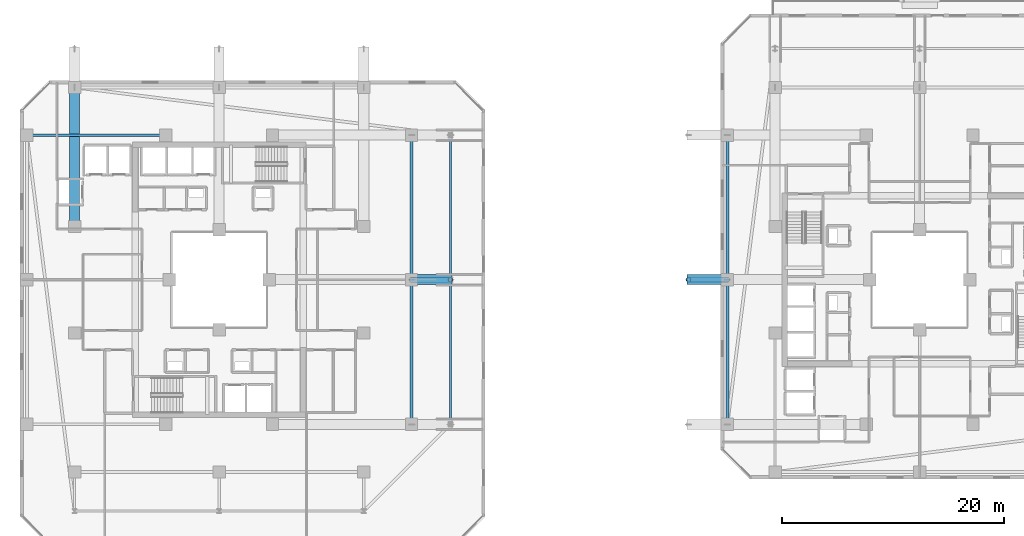
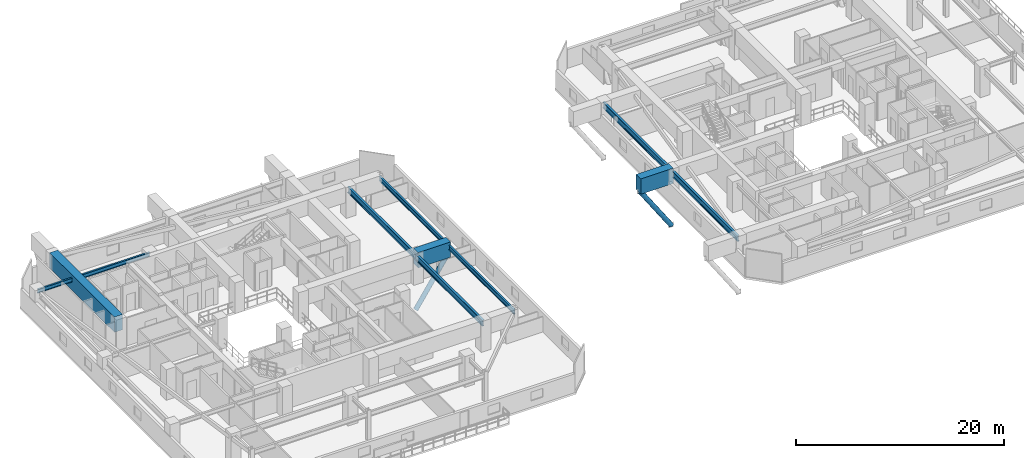
# One storey, part 7 of 36: 10 beams, 2 members.
"""IFC4 building model written with IfcOpenShell, lengths in metres."""

from ifc_helpers import new_model, si_unit, direction, frame, origin, origin_2d, place, context, subcontext, project, spatial, rectangle, hollow_circle, i_section, extrude, material, material_profile, profile_set, type_object, element, save


model = new_model("IFC4")

# Units and contexts
model_context = context("Model", 3, precision=1e-05, world=origin(), true_north=direction((0.0, 1.0)))
body_context = subcontext(model_context, "Body", "Model", "MODEL_VIEW")
ifc_project = project(units=[si_unit("LENGTHUNIT", "METRE"), si_unit("AREAUNIT", "SQUARE_METRE"), si_unit("VOLUMEUNIT", "CUBIC_METRE"), si_unit("PLANEANGLEUNIT", "RADIAN"), si_unit("MASSUNIT", "GRAM", prefix="KILO")], contexts=[model_context])

# Site, building, storey
site_placement = place(None, origin())
site = spatial("IfcSite", under=ifc_project, at=site_placement, CompositionType="ELEMENT")
building_placement = place(site_placement, origin())
building = spatial("IfcBuilding", under=site, at=building_placement, Name="Thornwick Lancets Civic Towers", CompositionType="ELEMENT")
storey_placement = place(building_placement, frame((0.0, 0.0, 170.699951171875)))
storey = spatial("IfcBuildingStorey", under=building, at=storey_placement, Name="L45", CompositionType="ELEMENT", Elevation=170.699951171875)

# Beams
ifc_material_1 = material(Name="Steel S355JR", Category="steel")
ifc_material_profile_1 = material_profile(ifc_material_1, i_section(OverallWidth=0.210693359375, OverallDepth=0.53955078125, WebThickness=0.01171875, FlangeThickness=0.018798828125, FilletRadius=0.0126953125, at=origin_2d()), Name="UKB 533x210x109")
ifc_profile_set_1 = profile_set([ifc_material_profile_1], Name="Steel S355JR")
beam_type_1 = type_object("IfcBeamType", Name="BM_EDGE_533_109", PredefinedType="SPANDREL", material=ifc_profile_set_1)
beam_1_placement = place(storey_placement, frame((46.300048828125, 14.0, 3.01025390625), z_axis=(0.0, 1.0, 0.0), x_axis=(-1.0, 0.0, 0.0)))
element("IfcBeam", 1, at=beam_1_placement, inside=storey, type_object=beam_type_1, Name="BM-EDGE-L45-A-S1-1", PredefinedType="SPANDREL", context=body_context, shape_type="SweptSolid", body=[
    extrude(i_section(OverallWidth=0.210693359375, OverallDepth=0.53955078125, WebThickness=0.01171875, FlangeThickness=0.018798828125, FilletRadius=0.0126953125, at=origin_2d()), origin(), (0.0, 0.0, 1.0), 13.0),
])
beam_2_placement = place(storey_placement, frame((46.300048828125, 27.080078125, 3.01025390625), z_axis=(0.0, 1.0, 0.0), x_axis=(-1.0, 0.0, 0.0)))
element("IfcBeam", 2, at=beam_2_placement, inside=storey, type_object=beam_type_1, Name="BM-EDGE-L45-A-S1-2", PredefinedType="SPANDREL", context=body_context, shape_type="SweptSolid", body=[
    extrude(i_section(OverallWidth=0.210693359375, OverallDepth=0.53955078125, WebThickness=0.01171875, FlangeThickness=0.018798828125, FilletRadius=0.0126953125, at=origin_2d()), origin(), (0.0, 0.0, 1.0), 12.919921875),
])
ifc_material_profile_2 = material_profile(ifc_material_1, i_section(OverallWidth=0.255859375, OverallDepth=0.69287109375, WebThickness=0.014404296875, FlangeThickness=0.023681640625, FilletRadius=0.01513671875, at=origin_2d()), Name="UKB 686x254x170")
ifc_profile_set_2 = profile_set([ifc_material_profile_2], Name="Steel S355JR")
beam_type_2 = type_object("IfcBeamType", Name="BM_GIRD_686_170", PredefinedType="BEAM", material=ifc_profile_set_2)
beam_3_placement = place(storey_placement, frame((42.800048828125, 14.0, 2.93359375), z_axis=(0.0, 1.0, 0.0), x_axis=(-1.0, 0.0, 0.0)))
element("IfcBeam", 3, at=beam_3_placement, inside=storey, type_object=beam_type_2, Name="BM-SPINE-L45-A-3-4", PredefinedType="BEAM", context=body_context, shape_type="SweptSolid", body=[
    extrude(i_section(OverallWidth=0.255859375, OverallDepth=0.69287109375, WebThickness=0.014404296875, FlangeThickness=0.023681640625, FilletRadius=0.01513671875, at=origin_2d()), origin(), (0.0, 0.0, 1.0), 13.0),
])
beam_4_placement = place(storey_placement, frame((42.800048828125, 27.080078125, 2.93359375), z_axis=(0.0, 1.0, 0.0), x_axis=(-1.0, 0.0, 0.0)))
element("IfcBeam", 4, at=beam_4_placement, inside=storey, type_object=beam_type_2, Name="BM-SPINE-L45-A-4-5", PredefinedType="BEAM", context=body_context, shape_type="SweptSolid", body=[
    extrude(i_section(OverallWidth=0.255859375, OverallDepth=0.69287109375, WebThickness=0.014404296875, FlangeThickness=0.023681640625, FilletRadius=0.01513671875, at=origin_2d()), origin(), (0.0, 0.0, 1.0), 12.919921875),
])
beam_5_placement = place(storey_placement, frame((71.199951171875, 14.0, 2.93359375), z_axis=(0.0, 1.0, 0.0), x_axis=(-1.0, 0.0, 0.0)))
element("IfcBeam", 5, at=beam_5_placement, inside=storey, type_object=beam_type_2, Name="BM-SPINE-L45-B-6-7", PredefinedType="BEAM", context=body_context, shape_type="SweptSolid", body=[
    extrude(i_section(OverallWidth=0.255859375, OverallDepth=0.69287109375, WebThickness=0.014404296875, FlangeThickness=0.023681640625, FilletRadius=0.01513671875, at=origin_2d()), origin(), (0.0, 0.0, 1.0), 13.0),
])
beam_6_placement = place(storey_placement, frame((71.199951171875, 27.080078125, 2.93359375), z_axis=(0.0, 1.0, 0.0), x_axis=(-1.0, 0.0, 0.0)))
element("IfcBeam", 6, at=beam_6_placement, inside=storey, type_object=beam_type_2, Name="BM-SPINE-L45-B-7-8", PredefinedType="BEAM", context=body_context, shape_type="SweptSolid", body=[
    extrude(i_section(OverallWidth=0.255859375, OverallDepth=0.69287109375, WebThickness=0.014404296875, FlangeThickness=0.023681640625, FilletRadius=0.01513671875, at=origin_2d()), origin(), (0.0, 0.0, 1.0), 12.919921875),
])
ifc_material_profile_3 = material_profile(ifc_material_1, i_section(OverallWidth=0.19189453125, OverallDepth=0.46337890625, WebThickness=0.010498046875, FlangeThickness=0.017578125, FilletRadius=0.01025390625, at=origin_2d()), Name="UKB 457x191x89")
ifc_profile_set_3 = profile_set([ifc_material_profile_3], Name="Steel S355JR")
beam_type_3 = type_object("IfcBeamType", Name="BM_JOIST_457_89", PredefinedType="JOIST", material=ifc_profile_set_3)
beam_7_placement = place(storey_placement, frame((20.699951171875, 40.0, 3.04833984375), z_axis=(-1.0, 0.0, 0.0), x_axis=(0.0, -1.0, 0.0)))
element("IfcBeam", 7, at=beam_7_placement, inside=storey, type_object=beam_type_3, Name="BM-RADIN-L45-A12", PredefinedType="JOIST", context=body_context, shape_type="SweptSolid", body=[
    extrude(i_section(OverallWidth=0.19189453125, OverallDepth=0.46337890625, WebThickness=0.010498046875, FlangeThickness=0.017578125, FilletRadius=0.01025390625, at=origin_2d()), origin(), (0.0, 0.0, 1.0), 12.5),
])
ifc_material_2 = material(Name="Concrete C60/75", Category="concrete")
ifc_material_profile_4 = material_profile(ifc_material_2, rectangle(XDim=0.89990234375, YDim=1.800048828125, at=origin_2d()), Name="RC 900x1800")
ifc_profile_set_4 = profile_set([ifc_material_profile_4], Name="Concrete C60/75")
beam_type_4 = type_object("IfcBeamType", Name="BM_TR_RC1800", PredefinedType="BEAM", material=ifc_profile_set_4)
beam_8_placement = place(storey_placement, frame((42.800048828125, 27.0, 2.699951171875), z_axis=(1.0, 0.0, 0.0), x_axis=(0.0, 1.0, 0.0)))
element("IfcBeam", 8, at=beam_8_placement, inside=storey, type_object=beam_type_4, Name="TG-CANT-L46-A05", PredefinedType="BEAM", context=body_context, shape_type="SweptSolid", body=[
    extrude(rectangle(XDim=0.89990234375, YDim=1.800048828125, at=origin_2d()), origin(), (0.0, 0.0, 1.0), 3.619873046875),
])
beam_9_placement = place(storey_placement, frame((12.5, 31.800048828125, 2.699951171875), z_axis=(0.0, 1.0, 0.0), x_axis=(-1.0, 0.0, 0.0)))
element("IfcBeam", 9, at=beam_9_placement, inside=storey, type_object=beam_type_4, Name="TG-BACK-L46-A07", PredefinedType="BEAM", context=body_context, shape_type="SweptSolid", body=[
    extrude(rectangle(XDim=0.89990234375, YDim=1.800048828125, at=origin_2d()), origin(), (0.0, 0.0, 1.0), 12.5),
])
beam_10_placement = place(storey_placement, frame((71.199951171875, 27.0, 2.699951171875), z_axis=(-1.0, 0.0, 0.0), x_axis=(0.0, -1.0, 0.0)))
element("IfcBeam", 10, at=beam_10_placement, inside=storey, type_object=beam_type_4, Name="TG-CANT-L46-B08", PredefinedType="BEAM", context=body_context, shape_type="SweptSolid", body=[
    extrude(rectangle(XDim=0.89990234375, YDim=1.800048828125, at=origin_2d()), origin(), (0.0, 0.0, 1.0), 3.619873046875),
])

# Members
ifc_material_3 = material(Name="Steel S460M", Category="steel")
ifc_material_profile_5 = material_profile(ifc_material_3, hollow_circle(Radius=0.25390625, WallThickness=0.02490234375, at=origin_2d()), Name="CHS 508x25")
ifc_profile_set_5 = profile_set([ifc_material_profile_5], Name="Steel S460M")
member_type = type_object("IfcMemberType", Name="MEM_STRUT_CHS508", PredefinedType="STRUT", material=ifc_profile_set_5)
for number, where, z_axis, x_axis, name in (
    (11, (42.800048828125, 27.0, -3.349853515625), (0.556167580628, 0.0, 0.831070166868), (0.0, 1.0, 0.0), "L46 Jenga Transfer Raking Strut A05"),
    (12, (71.199951171875, 27.0, -3.349853515625), (-0.556167580628, 0.0, 0.831070166868), (0.0, -1.0, 0.0), "L46 Jenga Transfer Raking Strut B08"),
):
    element("IfcMember", number, at=place(storey_placement, frame(where, z_axis=z_axis, x_axis=x_axis)), inside=storey, type_object=member_type, Name=name, PredefinedType="STRUT", context=body_context, shape_type="SweptSolid", body=[
        extrude(hollow_circle(Radius=0.25390625, WallThickness=0.02490234375, at=origin_2d()), origin(), (0.0, 0.0, 1.0), 6.29296875),
    ])

save(model, "model.ifc")
